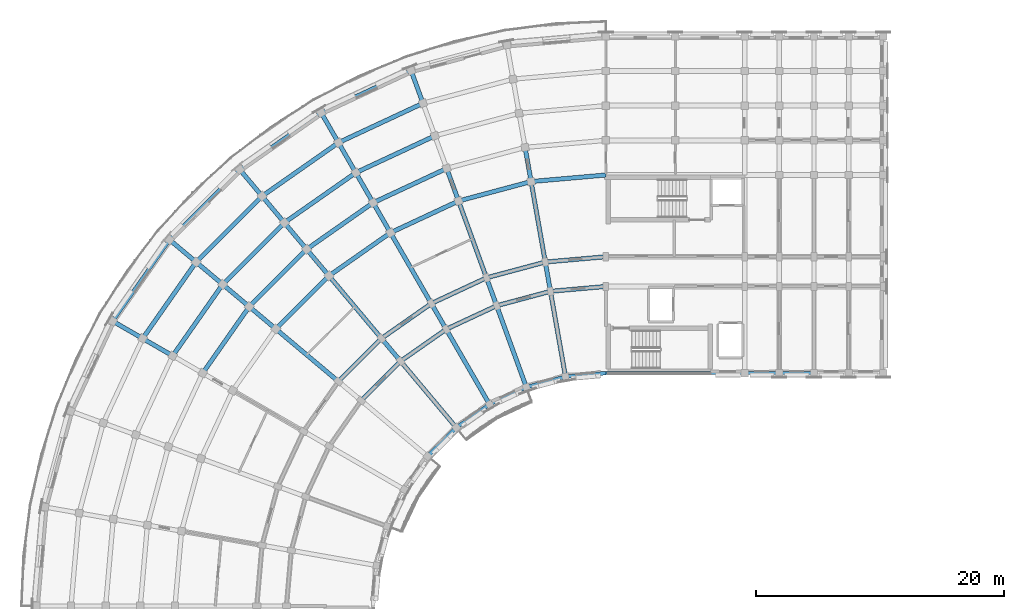
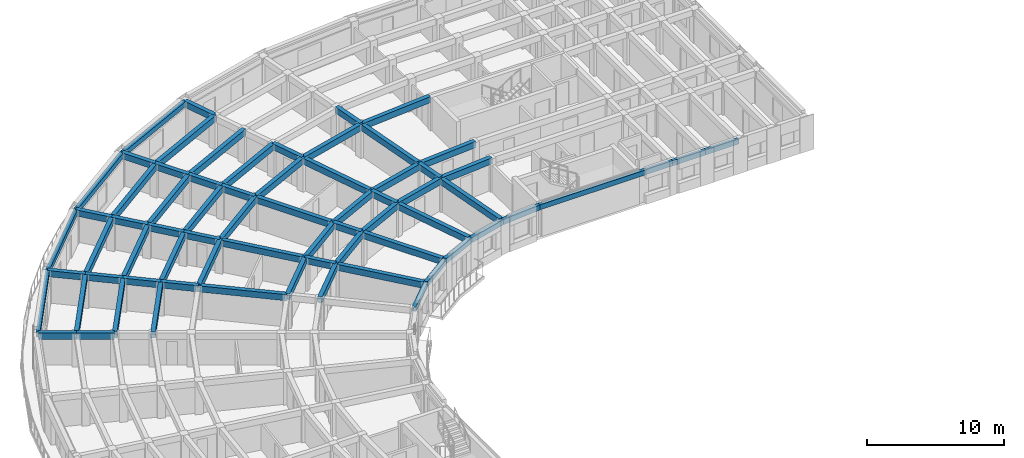
# One storey, part 5 of 41: 69 beams.
"""IFC4 building model written with IfcOpenShell, lengths in metres."""

from ifc_helpers import new_model, si_unit, direction, frame, origin, origin_2d, place, context, subcontext, project, spatial, rectangle, extrude, material, material_profile, profile_set, type_object, element, save


model = new_model("IFC4")

# Units and contexts
model_context = context("Model", 3, precision=1e-05, world=origin(), true_north=direction((0.0, 1.0)))
body_context = subcontext(model_context, "Body", "Model", "MODEL_VIEW")
ifc_project = project(units=[si_unit("LENGTHUNIT", "METRE"), si_unit("AREAUNIT", "SQUARE_METRE"), si_unit("VOLUMEUNIT", "CUBIC_METRE"), si_unit("PLANEANGLEUNIT", "RADIAN"), si_unit("MASSUNIT", "GRAM", prefix="KILO")], contexts=[model_context])

# Site, building, storey
site_placement = place(None, origin())
site = spatial("IfcSite", under=ifc_project, at=site_placement, CompositionType="ELEMENT")
building_placement = place(site_placement, origin())
building = spatial("IfcBuilding", under=site, at=building_placement, Name="Kiranvali Square Residences", CompositionType="ELEMENT")
storey_placement = place(building_placement, frame((0.0, 0.0, 33.89990234375)))
storey = spatial("IfcBuildingStorey", under=building, at=storey_placement, Name="L10", CompositionType="ELEMENT", Elevation=33.89990234375)

# Beams
ifc_material = material(Name="Concrete M40 (40 MPa)", Category="concrete")
ifc_material_profile_1 = material_profile(ifc_material, rectangle(XDim=0.35009765625, YDim=0.550048828125, at=origin_2d()), Name="RC 350x550")
ifc_profile_set_1 = profile_set([ifc_material_profile_1], Name="Concrete M40 (40 MPa)")
beam_type_1 = type_object("IfcBeamType", Name="BM-M40-350x550", PredefinedType="BEAM", material=ifc_profile_set_1)
beam_1_placement = place(storey_placement, frame((48.199951171875, 113.60009765625, 2.655029296875), z_axis=(-0.996191949488, -0.087187153726, 0.0), x_axis=(0.087187153726, -0.996191949488, 0.0)))
element("IfcBeam", 1, at=beam_1_placement, inside=storey, type_object=beam_type_1, Name="L10 beam BM-A-L10-C00-R1", PredefinedType="BEAM", context=body_context, shape_type="SweptSolid", body=[
    extrude(rectangle(XDim=0.35009765625, YDim=0.550048828125, at=origin_2d()), origin(), (0.0, 0.0, 1.0), 4.4970703125),
])
beam_2_placement = place(storey_placement, frame((48.199951171875, 116.0, 2.655029296875), z_axis=(-0.996193663584, -0.087167566415, 0.0), x_axis=(0.087167566415, -0.996193663584, 0.0)))
element("IfcBeam", 2, at=beam_2_placement, inside=storey, type_object=beam_type_1, Name="L10 beam BM-A-L10-C00-R2", PredefinedType="BEAM", context=body_context, shape_type="SweptSolid", body=[
    extrude(rectangle(XDim=0.35009765625, YDim=0.550048828125, at=origin_2d()), origin(), (0.0, 0.0, 1.0), 4.91552734375),
])
beam_3_placement = place(storey_placement, frame((48.199951171875, 122.60009765625, 2.655029296875), z_axis=(-0.996193018494, -0.087174938512, 0.0), x_axis=(0.087174938512, -0.996193018494, 0.0)))
element("IfcBeam", 3, at=beam_3_placement, inside=storey, type_object=beam_type_1, Name="L10 beam BM-A-L10-C00-R3", PredefinedType="BEAM", context=body_context, shape_type="SweptSolid", body=[
    extrude(rectangle(XDim=0.35009765625, YDim=0.550048828125, at=origin_2d()), origin(), (0.0, 0.0, 1.0), 6.066162109375),
])
beam_4_placement = place(storey_placement, frame((43.719970703125, 113.2080078125, 2.655029296875), z_axis=(-0.965934240054, -0.258787642463, 0.0), x_axis=(0.258787642463, -0.965934240054, 0.0)))
element("IfcBeam", 4, at=beam_4_placement, inside=storey, type_object=beam_type_1, Name="L10 beam BM-A-L10-C01-R1", PredefinedType="BEAM", context=body_context, shape_type="SweptSolid", body=[
    extrude(rectangle(XDim=0.35009765625, YDim=0.550048828125, at=origin_2d()), origin(), (0.0, 0.0, 1.0), 4.497314453125),
])
beam_5_placement = place(storey_placement, frame((43.30322265625, 115.571533203125, 2.655029296875), z_axis=(-0.965930095386, -0.258803112091, 0.0), x_axis=(0.258803112091, -0.965930095386, 0.0)))
element("IfcBeam", 5, at=beam_5_placement, inside=storey, type_object=beam_type_1, Name="L10 beam BM-A-L10-C01-R2", PredefinedType="BEAM", context=body_context, shape_type="SweptSolid", body=[
    extrude(rectangle(XDim=0.35009765625, YDim=0.550048828125, at=origin_2d()), origin(), (0.0, 0.0, 1.0), 4.915771484375),
])
beam_6_placement = place(storey_placement, frame((42.156982421875, 122.0712890625, 2.655029296875), z_axis=(-0.965923618901, -0.258827283048, 0.0), x_axis=(0.258827283048, -0.965923618901, 0.0)))
element("IfcBeam", 6, at=beam_6_placement, inside=storey, type_object=beam_type_1, Name="L10 beam BM-A-L10-C01-R3", PredefinedType="BEAM", context=body_context, shape_type="SweptSolid", body=[
    extrude(rectangle(XDim=0.35009765625, YDim=0.550048828125, at=origin_2d()), origin(), (0.0, 0.0, 1.0), 6.066162109375),
])
beam_7_placement = place(storey_placement, frame((39.3759765625, 112.044189453125, 2.655029296875), z_axis=(-0.906307919131, -0.422617978463, 0.0), x_axis=(0.422617978463, -0.906307919131, 0.0)))
element("IfcBeam", 7, at=beam_7_placement, inside=storey, type_object=beam_type_1, Name="L10 beam BM-A-L10-C02-R1", PredefinedType="BEAM", context=body_context, shape_type="SweptSolid", body=[
    extrude(rectangle(XDim=0.35009765625, YDim=0.550048828125, at=origin_2d()), origin(), (0.0, 0.0, 1.0), 4.497314453125),
])
beam_8_placement = place(storey_placement, frame((38.554931640625, 114.29931640625, 2.655029296875), z_axis=(-0.906302381024, -0.422629854778, 0.0), x_axis=(0.422629854778, -0.906302381024, 0.0)))
element("IfcBeam", 8, at=beam_8_placement, inside=storey, type_object=beam_type_1, Name="L10 beam BM-A-L10-C02-R2", PredefinedType="BEAM", context=body_context, shape_type="SweptSolid", body=[
    extrude(rectangle(XDim=0.35009765625, YDim=0.550048828125, at=origin_2d()), origin(), (0.0, 0.0, 1.0), 4.915283203125),
])
beam_9_placement = place(storey_placement, frame((36.297607421875, 120.501220703125, 2.655029296875), z_axis=(-0.906312656069, -0.42260781991, 0.0), x_axis=(0.42260781991, -0.906312656069, 0.0)))
element("IfcBeam", 9, at=beam_9_placement, inside=storey, type_object=beam_type_1, Name="L10 beam BM-A-L10-C02-R3", PredefinedType="BEAM", context=body_context, shape_type="SweptSolid", body=[
    extrude(rectangle(XDim=0.35009765625, YDim=0.550048828125, at=origin_2d()), origin(), (0.0, 0.0, 1.0), 6.06591796875),
])
beam_10_placement = place(storey_placement, frame((35.340087890625, 123.13232421875, 2.655029296875), z_axis=(-0.906318225223, -0.422595876255, 0.0), x_axis=(0.422595876255, -0.906318225223, 0.0)))
element("IfcBeam", 10, at=beam_10_placement, inside=storey, type_object=beam_type_1, Name="L10 beam BM-A-L10-C02-R4", PredefinedType="BEAM", context=body_context, shape_type="SweptSolid", body=[
    extrude(rectangle(XDim=0.35009765625, YDim=0.550048828125, at=origin_2d()), origin(), (0.0, 0.0, 1.0), 6.55419921875),
])
beam_11_placement = place(storey_placement, frame((34.38232421875, 125.763671875, 2.655029296875), z_axis=(-0.906297360311, -0.422640621205, 0.0), x_axis=(0.422640621205, -0.906297360311, 0.0)))
element("IfcBeam", 11, at=beam_11_placement, inside=storey, type_object=beam_type_1, Name="L10 beam BM-A-L10-C02-R5", PredefinedType="BEAM", context=body_context, shape_type="SweptSolid", body=[
    extrude(rectangle(XDim=0.35009765625, YDim=0.550048828125, at=origin_2d()), origin(), (0.0, 0.0, 1.0), 7.042236328125),
])
beam_12_placement = place(storey_placement, frame((33.4248046875, 128.394775390625, 2.655029296875), z_axis=(-0.90630982703, -0.422613886933, 0.0), x_axis=(0.422613886933, -0.90630982703, 0.0)))
element("IfcBeam", 12, at=beam_12_placement, inside=storey, type_object=beam_type_1, Name="L10 beam BM-A-L10-C02-R6", PredefinedType="BEAM", context=body_context, shape_type="SweptSolid", body=[
    extrude(rectangle(XDim=0.35009765625, YDim=0.550048828125, at=origin_2d()), origin(), (0.0, 0.0, 1.0), 7.5302734375),
])
beam_13_placement = place(storey_placement, frame((35.300048828125, 110.1435546875, 2.655029296875), z_axis=(-0.819155404658, -0.573571637217, 0.0), x_axis=(0.573571637217, -0.819155404658, 0.0)))
element("IfcBeam", 13, at=beam_13_placement, inside=storey, type_object=beam_type_1, Name="L10 beam BM-A-L10-C03-R1", PredefinedType="BEAM", context=body_context, shape_type="SweptSolid", body=[
    extrude(rectangle(XDim=0.35009765625, YDim=0.550048828125, at=origin_2d()), origin(), (0.0, 0.0, 1.0), 4.497314453125),
])
beam_14_placement = place(storey_placement, frame((34.10009765625, 112.221923828125, 2.655029296875), z_axis=(-0.819140911474, -0.573592335331, 0.0), x_axis=(0.573592335331, -0.819140911474, 0.0)))
element("IfcBeam", 14, at=beam_14_placement, inside=storey, type_object=beam_type_1, Name="L10 beam BM-A-L10-C03-R2", PredefinedType="BEAM", context=body_context, shape_type="SweptSolid", body=[
    extrude(rectangle(XDim=0.35009765625, YDim=0.550048828125, at=origin_2d()), origin(), (0.0, 0.0, 1.0), 4.915771484375),
])
beam_15_placement = place(storey_placement, frame((30.800048828125, 117.937744140625, 2.655029296875), z_axis=(-0.81913926159, -0.573594691504, 0.0), x_axis=(0.573594691504, -0.81913926159, 0.0)))
element("IfcBeam", 15, at=beam_15_placement, inside=storey, type_object=beam_type_1, Name="L10 beam BM-A-L10-C03-R3", PredefinedType="BEAM", context=body_context, shape_type="SweptSolid", body=[
    extrude(rectangle(XDim=0.35009765625, YDim=0.550048828125, at=origin_2d()), origin(), (0.0, 0.0, 1.0), 6.066162109375),
])
beam_16_placement = place(storey_placement, frame((29.39990234375, 120.362548828125, 2.655029296875), z_axis=(-0.819144409176, -0.573587340268, 0.0), x_axis=(0.573587340268, -0.819144409176, 0.0)))
element("IfcBeam", 16, at=beam_16_placement, inside=storey, type_object=beam_type_1, Name="L10 beam BM-A-L10-C03-R4", PredefinedType="BEAM", context=body_context, shape_type="SweptSolid", body=[
    extrude(rectangle(XDim=0.35009765625, YDim=0.550048828125, at=origin_2d()), origin(), (0.0, 0.0, 1.0), 6.553955078125),
])
beam_17_placement = place(storey_placement, frame((28.0, 122.787353515625, 2.655029296875), z_axis=(-0.819160249246, -0.57356471828, 0.0), x_axis=(0.57356471828, -0.819160249246, 0.0)))
element("IfcBeam", 17, at=beam_17_placement, inside=storey, type_object=beam_type_1, Name="L10 beam BM-A-L10-C03-R5", PredefinedType="BEAM", context=body_context, shape_type="SweptSolid", body=[
    extrude(rectangle(XDim=0.35009765625, YDim=0.550048828125, at=origin_2d()), origin(), (0.0, 0.0, 1.0), 7.0419921875),
])
beam_18_placement = place(storey_placement, frame((26.60009765625, 125.21240234375, 2.655029296875), z_axis=(-0.819143569597, -0.573588539275, 0.0), x_axis=(0.573588539275, -0.819143569597, 0.0)))
element("IfcBeam", 18, at=beam_18_placement, inside=storey, type_object=beam_type_1, Name="L10 beam BM-A-L10-C03-R6", PredefinedType="BEAM", context=body_context, shape_type="SweptSolid", body=[
    extrude(rectangle(XDim=0.35009765625, YDim=0.550048828125, at=origin_2d()), origin(), (0.0, 0.0, 1.0), 7.5302734375),
])
beam_19_placement = place(storey_placement, frame((31.615966796875, 107.56396484375, 2.655029296875), z_axis=(-0.707106781187, -0.707106781187, 0.0), x_axis=(0.707106781187, -0.707106781187, 0.0)))
element("IfcBeam", 19, at=beam_19_placement, inside=storey, type_object=beam_type_1, Name="L10 beam BM-A-L10-C04-R1", PredefinedType="BEAM", context=body_context, shape_type="SweptSolid", body=[
    extrude(rectangle(XDim=0.35009765625, YDim=0.550048828125, at=origin_2d()), origin(), (0.0, 0.0, 1.0), 4.4970703125),
])
beam_20_placement = place(storey_placement, frame((30.073486328125, 109.40234375, 2.655029296875), z_axis=(-0.707106781187, -0.707106781187, 0.0), x_axis=(0.707106781187, -0.707106781187, 0.0)))
element("IfcBeam", 20, at=beam_20_placement, inside=storey, type_object=beam_type_1, Name="L10 beam BM-A-L10-C04-R2", PredefinedType="BEAM", context=body_context, shape_type="SweptSolid", body=[
    extrude(rectangle(XDim=0.35009765625, YDim=0.550048828125, at=origin_2d()), origin(), (0.0, 0.0, 1.0), 4.91552734375),
])
beam_21_placement = place(storey_placement, frame((25.8310546875, 114.458251953125, 2.655029296875), z_axis=(-0.707106781187, -0.707106781187, 0.0), x_axis=(0.707106781187, -0.707106781187, 0.0)))
element("IfcBeam", 21, at=beam_21_placement, inside=storey, type_object=beam_type_1, Name="L10 beam BM-A-L10-C04-R3", PredefinedType="BEAM", context=body_context, shape_type="SweptSolid", body=[
    extrude(rectangle(XDim=0.35009765625, YDim=0.550048828125, at=origin_2d()), origin(), (0.0, 0.0, 1.0), 6.06591796875),
])
beam_22_placement = place(storey_placement, frame((24.03125, 116.603271484375, 2.655029296875), z_axis=(-0.707106781187, -0.707106781187, 0.0), x_axis=(0.707106781187, -0.707106781187, 0.0)))
element("IfcBeam", 22, at=beam_22_placement, inside=storey, type_object=beam_type_1, Name="L10 beam BM-A-L10-C04-R4", PredefinedType="BEAM", context=body_context, shape_type="SweptSolid", body=[
    extrude(rectangle(XDim=0.35009765625, YDim=0.550048828125, at=origin_2d()), origin(), (0.0, 0.0, 1.0), 6.55419921875),
])
beam_23_placement = place(storey_placement, frame((22.2314453125, 118.748291015625, 2.655029296875), z_axis=(-0.707106781187, -0.707106781187, 0.0), x_axis=(0.707106781187, -0.707106781187, 0.0)))
element("IfcBeam", 23, at=beam_23_placement, inside=storey, type_object=beam_type_1, Name="L10 beam BM-A-L10-C04-R5", PredefinedType="BEAM", context=body_context, shape_type="SweptSolid", body=[
    extrude(rectangle(XDim=0.35009765625, YDim=0.550048828125, at=origin_2d()), origin(), (0.0, 0.0, 1.0), 7.04248046875),
])
beam_24_placement = place(storey_placement, frame((20.431640625, 120.89306640625, 2.655029296875), z_axis=(-0.707106781187, -0.707106781187, 0.0), x_axis=(0.707106781187, -0.707106781187, 0.0)))
element("IfcBeam", 24, at=beam_24_placement, inside=storey, type_object=beam_type_1, Name="L10 beam BM-A-L10-C04-R6", PredefinedType="BEAM", context=body_context, shape_type="SweptSolid", body=[
    extrude(rectangle(XDim=0.35009765625, YDim=0.550048828125, at=origin_2d()), origin(), (0.0, 0.0, 1.0), 7.5302734375),
])
beam_25_placement = place(storey_placement, frame((19.396728515625, 111.96875, 2.655029296875), z_axis=(-0.573587340268, -0.819144409176, 0.0), x_axis=(0.819144409176, -0.573587340268, 0.0)))
element("IfcBeam", 25, at=beam_25_placement, inside=storey, type_object=beam_type_1, Name="L10 beam BM-A-L10-C05-R4", PredefinedType="BEAM", context=body_context, shape_type="SweptSolid", body=[
    extrude(rectangle(XDim=0.35009765625, YDim=0.550048828125, at=origin_2d()), origin(), (0.0, 0.0, 1.0), 6.553955078125),
])
beam_26_placement = place(storey_placement, frame((17.251708984375, 113.7685546875, 2.655029296875), z_axis=(-0.57356471828, -0.819160249246, 0.0), x_axis=(0.819160249246, -0.57356471828, 0.0)))
element("IfcBeam", 26, at=beam_26_placement, inside=storey, type_object=beam_type_1, Name="L10 beam BM-A-L10-C05-R5", PredefinedType="BEAM", context=body_context, shape_type="SweptSolid", body=[
    extrude(rectangle(XDim=0.35009765625, YDim=0.550048828125, at=origin_2d()), origin(), (0.0, 0.0, 1.0), 7.0419921875),
])
beam_27_placement = place(storey_placement, frame((15.10693359375, 115.568359375, 2.655029296875), z_axis=(-0.573588539275, -0.819143569597, 0.0), x_axis=(0.819143569597, -0.573588539275, 0.0)))
element("IfcBeam", 27, at=beam_27_placement, inside=storey, type_object=beam_type_1, Name="L10 beam BM-A-L10-C05-R6", PredefinedType="BEAM", context=body_context, shape_type="SweptSolid", body=[
    extrude(rectangle(XDim=0.35009765625, YDim=0.550048828125, at=origin_2d()), origin(), (0.0, 0.0, 1.0), 7.5302734375),
])
beam_28_placement = place(storey_placement, frame((44.935302734375, 106.314453125, 2.655029296875), z_axis=(-0.173622177865, 0.984812337125, 0.0), x_axis=(-0.984812337125, -0.173622177865, 0.0)))
element("IfcBeam", 28, at=beam_28_placement, inside=storey, type_object=beam_type_1, Name="L10 beam BM-A-L10-RAD01-01", PredefinedType="BEAM", context=body_context, shape_type="SweptSolid", body=[
    extrude(rectangle(XDim=0.35009765625, YDim=0.550048828125, at=origin_2d()), origin(), (0.0, 0.0, 1.0), 6.999755859375),
])
beam_29_placement = place(storey_placement, frame((43.719970703125, 113.2080078125, 2.655029296875), z_axis=(-0.173646056486, 0.984808127031, 0.0), x_axis=(-0.984808127031, -0.173646056486, 0.0)))
element("IfcBeam", 29, at=beam_29_placement, inside=storey, type_object=beam_type_1, Name="L10 beam BM-A-L10-RAD01-12", PredefinedType="BEAM", context=body_context, shape_type="SweptSolid", body=[
    extrude(rectangle(XDim=0.35009765625, YDim=0.550048828125, at=origin_2d()), origin(), (0.0, 0.0, 1.0), 2.39990234375),
])
beam_30_placement = place(storey_placement, frame((43.30322265625, 115.571533203125, 2.655029296875), z_axis=(-0.173671381499, 0.984803661269, 0.0), x_axis=(-0.984803661269, -0.173671381499, 0.0)))
element("IfcBeam", 30, at=beam_30_placement, inside=storey, type_object=beam_type_1, Name="L10 beam BM-A-L10-RAD01-23", PredefinedType="BEAM", context=body_context, shape_type="SweptSolid", body=[
    extrude(rectangle(XDim=0.35009765625, YDim=0.550048828125, at=origin_2d()), origin(), (0.0, 0.0, 1.0), 6.60009765625),
])
beam_31_placement = place(storey_placement, frame((42.156982421875, 122.0712890625, 2.655029296875), z_axis=(-0.173596320392, 0.984816895441, 0.0), x_axis=(-0.984816895441, -0.173596320392, 0.0)))
element("IfcBeam", 31, at=beam_31_placement, inside=storey, type_object=beam_type_1, Name="L10 beam BM-A-L10-RAD01-34", PredefinedType="BEAM", context=body_context, shape_type="SweptSolid", body=[
    extrude(rectangle(XDim=0.35009765625, YDim=0.550048828125, at=origin_2d()), origin(), (0.0, 0.0, 1.0), 2.800048828125),
])
beam_32_placement = place(storey_placement, frame((41.77001953125, 105.46630859375, 2.655029296875), z_axis=(-0.342006283793, 0.939697665127, 0.0), x_axis=(-0.939697665127, -0.342006283793, 0.0)))
element("IfcBeam", 32, at=beam_32_placement, inside=storey, type_object=beam_type_1, Name="L10 beam BM-A-L10-RAD02-01", PredefinedType="BEAM", context=body_context, shape_type="SweptSolid", body=[
    extrude(rectangle(XDim=0.35009765625, YDim=0.550048828125, at=origin_2d()), origin(), (0.0, 0.0, 1.0), 7.0),
])
beam_33_placement = place(storey_placement, frame((39.3759765625, 112.044189453125, 2.655029296875), z_axis=(-0.342110593602, 0.939659694648, 0.0), x_axis=(-0.939659694648, -0.342110593602, 0.0)))
element("IfcBeam", 33, at=beam_33_placement, inside=storey, type_object=beam_type_1, Name="L10 beam BM-A-L10-RAD02-12", PredefinedType="BEAM", context=body_context, shape_type="SweptSolid", body=[
    extrude(rectangle(XDim=0.35009765625, YDim=0.550048828125, at=origin_2d()), origin(), (0.0, 0.0, 1.0), 2.39990234375),
])
beam_34_placement = place(storey_placement, frame((38.554931640625, 114.29931640625, 2.655029296875), z_axis=(-0.342022238372, 0.939691858249, 0.0), x_axis=(-0.939691858249, -0.342022238372, 0.0)))
element("IfcBeam", 34, at=beam_34_placement, inside=storey, type_object=beam_type_1, Name="L10 beam BM-A-L10-RAD02-23", PredefinedType="BEAM", context=body_context, shape_type="SweptSolid", body=[
    extrude(rectangle(XDim=0.35009765625, YDim=0.550048828125, at=origin_2d()), origin(), (0.0, 0.0, 1.0), 6.599853515625),
])
beam_35_placement = place(storey_placement, frame((36.297607421875, 120.501220703125, 2.655029296875), z_axis=(-0.341981089711, 0.93970683422, 0.0), x_axis=(-0.93970683422, -0.341981089711, 0.0)))
element("IfcBeam", 35, at=beam_35_placement, inside=storey, type_object=beam_type_1, Name="L10 beam BM-A-L10-RAD02-34", PredefinedType="BEAM", context=body_context, shape_type="SweptSolid", body=[
    extrude(rectangle(XDim=0.35009765625, YDim=0.550048828125, at=origin_2d()), origin(), (0.0, 0.0, 1.0), 2.7998046875),
])
beam_36_placement = place(storey_placement, frame((33.4248046875, 128.394775390625, 2.655029296875), z_axis=(-0.342058084236, 0.939678810556, 0.0), x_axis=(-0.939678810556, -0.342058084236, 0.0)))
element("IfcBeam", 36, at=beam_36_placement, inside=storey, type_object=beam_type_1, Name="L10 beam BM-A-L10-RAD02-67", PredefinedType="BEAM", context=body_context, shape_type="SweptSolid", body=[
    extrude(rectangle(XDim=0.35009765625, YDim=0.550048828125, at=origin_2d()), origin(), (0.0, 0.0, 1.0), 2.800048828125),
])
beam_37_placement = place(storey_placement, frame((38.800048828125, 104.081298828125, 2.655029296875), z_axis=(-0.499995173006, 0.866028190633, 0.0), x_axis=(-0.866028190633, -0.499995173006, 0.0)))
element("IfcBeam", 37, at=beam_37_placement, inside=storey, type_object=beam_type_1, Name="L10 beam BM-A-L10-RAD03-01", PredefinedType="BEAM", context=body_context, shape_type="SweptSolid", body=[
    extrude(rectangle(XDim=0.35009765625, YDim=0.550048828125, at=origin_2d()), origin(), (0.0, 0.0, 1.0), 7.0),
])
beam_38_placement = place(storey_placement, frame((35.300048828125, 110.1435546875, 2.655029296875), z_axis=(-0.500001309137, 0.866024647952, 0.0), x_axis=(-0.866024647952, -0.500001309137, 0.0)))
element("IfcBeam", 38, at=beam_38_placement, inside=storey, type_object=beam_type_1, Name="L10 beam BM-A-L10-RAD03-12", PredefinedType="BEAM", context=body_context, shape_type="SweptSolid", body=[
    extrude(rectangle(XDim=0.35009765625, YDim=0.550048828125, at=origin_2d()), origin(), (0.0, 0.0, 1.0), 2.39990234375),
])
beam_39_placement = place(storey_placement, frame((34.10009765625, 112.221923828125, 2.655029296875), z_axis=(-0.500002094529, 0.866024194504, 0.0), x_axis=(-0.866024194504, -0.500002094529, 0.0)))
element("IfcBeam", 39, at=beam_39_placement, inside=storey, type_object=beam_type_1, Name="L10 beam BM-A-L10-RAD03-23", PredefinedType="BEAM", context=body_context, shape_type="SweptSolid", body=[
    extrude(rectangle(XDim=0.35009765625, YDim=0.550048828125, at=origin_2d()), origin(), (0.0, 0.0, 1.0), 6.60009765625),
])
beam_40_placement = place(storey_placement, frame((30.800048828125, 117.937744140625, 2.655029296875), z_axis=(-0.500049511043, 0.865996816683, 0.0), x_axis=(-0.865996816683, -0.500049511043, 0.0)))
element("IfcBeam", 40, at=beam_40_placement, inside=storey, type_object=beam_type_1, Name="L10 beam BM-A-L10-RAD03-34", PredefinedType="BEAM", context=body_context, shape_type="SweptSolid", body=[
    extrude(rectangle(XDim=0.35009765625, YDim=0.550048828125, at=origin_2d()), origin(), (0.0, 0.0, 1.0), 2.800048828125),
])
beam_41_placement = place(storey_placement, frame((29.39990234375, 120.362548828125, 2.655029296875), z_axis=(-0.49998411664, 0.866034573852, 0.0), x_axis=(-0.866034573852, -0.49998411664, 0.0)))
element("IfcBeam", 41, at=beam_41_placement, inside=storey, type_object=beam_type_1, Name="L10 beam BM-A-L10-RAD03-45", PredefinedType="BEAM", context=body_context, shape_type="SweptSolid", body=[
    extrude(rectangle(XDim=0.35009765625, YDim=0.550048828125, at=origin_2d()), origin(), (0.0, 0.0, 1.0), 2.7998046875),
])
for number, where, z_axis, x_axis, name in (
    (42, (28.0, 122.787353515625, 2.655029296875), (-0.49994636267, 0.866056369097, 0.0), (-0.866056369097, -0.49994636267, 0.0), "L10 beam BM-A-L10-RAD03-56"),
    (43, (26.60009765625, 125.21240234375, 2.655029296875), (-0.500049511043, 0.865996816683, 0.0), (-0.865996816683, -0.500049511043, 0.0), "L10 beam BM-A-L10-RAD03-67"),
):
    element("IfcBeam", number, at=place(storey_placement, frame(where, z_axis=z_axis, x_axis=x_axis)), inside=storey, type_object=beam_type_1, Name=name, PredefinedType="BEAM", context=body_context, shape_type="SweptSolid", body=[
        extrude(rectangle(XDim=0.35009765625, YDim=0.550048828125, at=origin_2d()), origin(), (0.0, 0.0, 1.0), 2.800048828125),
    ])
beam_42_placement = place(storey_placement, frame((36.115478515625, 102.20166015625, 2.655029296875), z_axis=(-0.642787931032, 0.766044173478, 0.0), x_axis=(-0.766044173478, -0.642787931032, 0.0)))
element("IfcBeam", 44, at=beam_42_placement, inside=storey, type_object=beam_type_1, Name="L10 beam BM-A-L10-RAD04-01", PredefinedType="BEAM", context=body_context, shape_type="SweptSolid", body=[
    extrude(rectangle(XDim=0.35009765625, YDim=0.550048828125, at=origin_2d()), origin(), (0.0, 0.0, 1.0), 7.0),
])
beam_43_placement = place(storey_placement, frame((31.615966796875, 107.56396484375, 2.655029296875), z_axis=(-0.642762521781, 0.766065493671, 0.0), x_axis=(-0.766065493671, -0.642762521781, 0.0)))
element("IfcBeam", 45, at=beam_43_placement, inside=storey, type_object=beam_type_1, Name="L10 beam BM-A-L10-RAD04-12", PredefinedType="BEAM", context=body_context, shape_type="SweptSolid", body=[
    extrude(rectangle(XDim=0.35009765625, YDim=0.550048828125, at=origin_2d()), origin(), (0.0, 0.0, 1.0), 2.399658203125),
])
beam_44_placement = place(storey_placement, frame((30.073486328125, 109.40234375, 2.655029296875), z_axis=(-0.642789470807, 0.766042881449, 0.0), x_axis=(-0.766042881449, -0.642789470807, 0.0)))
element("IfcBeam", 46, at=beam_44_placement, inside=storey, type_object=beam_type_1, Name="L10 beam BM-A-L10-RAD04-23", PredefinedType="BEAM", context=body_context, shape_type="SweptSolid", body=[
    extrude(rectangle(XDim=0.35009765625, YDim=0.550048828125, at=origin_2d()), origin(), (0.0, 0.0, 1.0), 6.60009765625),
])
for number, where, z_axis, x_axis, name in (
    (47, (25.8310546875, 114.458251953125, 2.655029296875), (-0.642770757628, 0.766058583359, 0.0), (-0.766058583359, -0.642770757628, 0.0), "L10 beam BM-A-L10-RAD04-34"),
    (48, (24.03125, 116.603271484375, 2.655029296875), (-0.642770757628, 0.766058583359, 0.0), (-0.766058583359, -0.642770757628, 0.0), "L10 beam BM-A-L10-RAD04-45"),
):
    element("IfcBeam", number, at=place(storey_placement, frame(where, z_axis=z_axis, x_axis=x_axis)), inside=storey, type_object=beam_type_1, Name=name, PredefinedType="BEAM", context=body_context, shape_type="SweptSolid", body=[
        extrude(rectangle(XDim=0.35009765625, YDim=0.550048828125, at=origin_2d()), origin(), (0.0, 0.0, 1.0), 2.800048828125),
    ])
beam_45_placement = place(storey_placement, frame((22.2314453125, 118.748291015625, 2.655029296875), z_axis=(-0.642813692253, 0.76602255649, 0.0), x_axis=(-0.76602255649, -0.642813692253, 0.0)))
element("IfcBeam", 49, at=beam_45_placement, inside=storey, type_object=beam_type_1, Name="L10 beam BM-A-L10-RAD04-56", PredefinedType="BEAM", context=body_context, shape_type="SweptSolid", body=[
    extrude(rectangle(XDim=0.35009765625, YDim=0.550048828125, at=origin_2d()), origin(), (0.0, 0.0, 1.0), 2.7998046875),
])
beam_46_placement = place(storey_placement, frame((20.431640625, 120.89306640625, 2.655029296875), z_axis=(-0.642770757628, 0.766058583359, 0.0), x_axis=(-0.766058583359, -0.642770757628, 0.0)))
element("IfcBeam", 50, at=beam_46_placement, inside=storey, type_object=beam_type_1, Name="L10 beam BM-A-L10-RAD04-67", PredefinedType="BEAM", context=body_context, shape_type="SweptSolid", body=[
    extrude(rectangle(XDim=0.35009765625, YDim=0.550048828125, at=origin_2d()), origin(), (0.0, 0.0, 1.0), 2.800048828125),
])
beam_47_placement = place(storey_placement, frame((26.59765625, 105.926513671875, 2.655029296875), z_axis=(-0.766042881449, 0.642789470807, 0.0), x_axis=(-0.642789470807, -0.766042881449, 0.0)))
element("IfcBeam", 51, at=beam_47_placement, inside=storey, type_object=beam_type_1, Name="L10 beam BM-A-L10-RAD05-23", PredefinedType="BEAM", context=body_context, shape_type="SweptSolid", body=[
    extrude(rectangle(XDim=0.35009765625, YDim=0.550048828125, at=origin_2d()), origin(), (0.0, 0.0, 1.0), 6.60009765625),
])
for number, where, z_axis, x_axis, name in (
    (52, (21.541748046875, 110.1689453125, 2.655029296875), (-0.766058583359, 0.642770757628, 0.0), (-0.642770757628, -0.766058583359, 0.0), "L10 beam BM-A-L10-RAD05-34"),
    (53, (19.396728515625, 111.96875, 2.655029296875), (-0.766058583359, 0.642770757628, 0.0), (-0.642770757628, -0.766058583359, 0.0), "L10 beam BM-A-L10-RAD05-45"),
):
    element("IfcBeam", number, at=place(storey_placement, frame(where, z_axis=z_axis, x_axis=x_axis)), inside=storey, type_object=beam_type_1, Name=name, PredefinedType="BEAM", context=body_context, shape_type="SweptSolid", body=[
        extrude(rectangle(XDim=0.35009765625, YDim=0.550048828125, at=origin_2d()), origin(), (0.0, 0.0, 1.0), 2.800048828125),
    ])
beam_48_placement = place(storey_placement, frame((17.251708984375, 113.7685546875, 2.655029296875), z_axis=(-0.76602255649, 0.642813692253, 0.0), x_axis=(-0.642813692253, -0.76602255649, 0.0)))
element("IfcBeam", 54, at=beam_48_placement, inside=storey, type_object=beam_type_1, Name="L10 beam BM-A-L10-RAD05-56", PredefinedType="BEAM", context=body_context, shape_type="SweptSolid", body=[
    extrude(rectangle(XDim=0.35009765625, YDim=0.550048828125, at=origin_2d()), origin(), (0.0, 0.0, 1.0), 2.7998046875),
])
for number, where, z_axis, x_axis, name in (
    (55, (15.10693359375, 115.568359375, 2.655029296875), (-0.766058583359, 0.642770757628, 0.0), (-0.642770757628, -0.766058583359, 0.0), "L10 beam BM-A-L10-RAD05-67"),
    (56, (13.212646484375, 108.0, 2.655029296875), (-0.866056369097, 0.49994636267, 0.0), (-0.49994636267, -0.866056369097, 0.0), "L10 beam BM-A-L10-RAD06-56"),
    (57, (10.78759765625, 109.39990234375, 2.655029296875), (-0.865996816683, 0.500049511043, 0.0), (-0.500049511043, -0.865996816683, 0.0), "L10 beam BM-A-L10-RAD06-67"),
):
    element("IfcBeam", number, at=place(storey_placement, frame(where, z_axis=z_axis, x_axis=x_axis)), inside=storey, type_object=beam_type_1, Name=name, PredefinedType="BEAM", context=body_context, shape_type="SweptSolid", body=[
        extrude(rectangle(XDim=0.35009765625, YDim=0.550048828125, at=origin_2d()), origin(), (0.0, 0.0, 1.0), 2.800048828125),
    ])
ifc_material_profile_2 = material_profile(ifc_material, rectangle(XDim=0.25, YDim=0.449951171875, at=origin_2d()), Name="RC 250x450")
ifc_profile_set_2 = profile_set([ifc_material_profile_2], Name="Concrete M40 (40 MPa)")
beam_type_2 = type_object("IfcBeamType", Name="SPN-M40-250x450", PredefinedType="SPANDREL", material=ifc_profile_set_2)
beam_49_placement = place(storey_placement, frame((48.199951171875, 106.60009765625, 2.705078125), z_axis=(1.0, 0.0, 0.0), x_axis=(0.0, 1.0, 0.0)))
element("IfcBeam", 58, at=beam_49_placement, inside=storey, type_object=beam_type_2, Name="L10 beam BM-A-L10-A1U0-R0", PredefinedType="SPANDREL", context=body_context, shape_type="SweptSolid", body=[
    extrude(rectangle(XDim=0.25, YDim=0.449951171875, at=origin_2d()), origin(), (0.0, 0.0, 1.0), 11.199951171875),
])
for number, where, z_axis, x_axis, name in (
    (59, (59.39990234375, 106.60009765625, 2.705078125), (1.0, 0.0, 0.0), (0.0, 1.0, 0.0), "L10 beam BM-A-L10-A1U1-R0"),
    (60, (62.199951171875, 106.60009765625, 2.705078125), (1.0, 0.0, 0.0), (0.0, 1.0, 0.0), "L10 beam BM-A-L10-A1U2-R0"),
):
    element("IfcBeam", number, at=place(storey_placement, frame(where, z_axis=z_axis, x_axis=x_axis)), inside=storey, type_object=beam_type_2, Name=name, PredefinedType="SPANDREL", context=body_context, shape_type="SweptSolid", body=[
        extrude(rectangle(XDim=0.25, YDim=0.449951171875, at=origin_2d()), origin(), (0.0, 0.0, 1.0), 2.800048828125),
    ])
ifc_material_profile_3 = material_profile(ifc_material, rectangle(XDim=0.300048828125, YDim=0.449951171875, at=origin_2d()), Name="RC 300x450")
ifc_profile_set_3 = profile_set([ifc_material_profile_3], Name="Concrete M40 (40 MPa)")
beam_type_3 = type_object("IfcBeamType", Name="SPN-M40-300x450", PredefinedType="SPANDREL", material=ifc_profile_set_3)
beam_50_placement = place(storey_placement, frame((48.199951171875, 106.60009765625, 2.705078125), z_axis=(-0.996194040944, -0.087163253657, 0.0), x_axis=(0.087163253657, -0.996194040944, 0.0)))
element("IfcBeam", 61, at=beam_50_placement, inside=storey, type_object=beam_type_3, Name="L10 beam BM-A-L10-C00-R0", PredefinedType="SPANDREL", context=body_context, shape_type="SweptSolid", body=[
    extrude(rectangle(XDim=0.300048828125, YDim=0.449951171875, at=origin_2d()), origin(), (0.0, 0.0, 1.0), 3.277099609375),
])
beam_51_placement = place(storey_placement, frame((44.935302734375, 106.314453125, 2.705078125), z_axis=(-0.965925105099, -0.258821736607, 0.0), x_axis=(0.258821736607, -0.965925105099, 0.0)))
element("IfcBeam", 62, at=beam_51_placement, inside=storey, type_object=beam_type_3, Name="L10 beam BM-A-L10-C01-R0", PredefinedType="SPANDREL", context=body_context, shape_type="SweptSolid", body=[
    extrude(rectangle(XDim=0.300048828125, YDim=0.449951171875, at=origin_2d()), origin(), (0.0, 0.0, 1.0), 3.27685546875),
])
beam_52_placement = place(storey_placement, frame((41.77001953125, 105.46630859375, 2.705078125), z_axis=(-0.90629730464, -0.422640740585, 0.0), x_axis=(0.422640740585, -0.90629730464, 0.0)))
element("IfcBeam", 63, at=beam_52_placement, inside=storey, type_object=beam_type_3, Name="L10 beam BM-A-L10-C02-R0", PredefinedType="SPANDREL", context=body_context, shape_type="SweptSolid", body=[
    extrude(rectangle(XDim=0.300048828125, YDim=0.449951171875, at=origin_2d()), origin(), (0.0, 0.0, 1.0), 3.277099609375),
])
beam_53_placement = place(storey_placement, frame((32.467041015625, 131.02587890625, 2.705078125), z_axis=(-0.906309113636, -0.422615416827, 0.0), x_axis=(0.422615416827, -0.906309113636, 0.0)))
element("IfcBeam", 64, at=beam_53_placement, inside=storey, type_object=beam_type_3, Name="L10 beam BM-A-L10-C02-R7", PredefinedType="SPANDREL", context=body_context, shape_type="SweptSolid", body=[
    extrude(rectangle(XDim=0.300048828125, YDim=0.449951171875, at=origin_2d()), origin(), (0.0, 0.0, 1.0), 8.018310546875),
])
beam_54_placement = place(storey_placement, frame((38.800048828125, 104.081298828125, 2.705078125), z_axis=(-0.81916891812, -0.573552337269, 0.0), x_axis=(0.573552337269, -0.81916891812, 0.0)))
element("IfcBeam", 65, at=beam_54_placement, inside=storey, type_object=beam_type_3, Name="L10 beam BM-A-L10-C03-R0", PredefinedType="SPANDREL", context=body_context, shape_type="SweptSolid", body=[
    extrude(rectangle(XDim=0.300048828125, YDim=0.449951171875, at=origin_2d()), origin(), (0.0, 0.0, 1.0), 3.277099609375),
])
beam_55_placement = place(storey_placement, frame((25.199951171875, 127.63720703125, 2.705078125), z_axis=(-0.819147515001, -0.573582904791, 0.0), x_axis=(0.573582904791, -0.819147515001, 0.0)))
element("IfcBeam", 66, at=beam_55_placement, inside=storey, type_object=beam_type_3, Name="L10 beam BM-A-L10-C03-R7", PredefinedType="SPANDREL", context=body_context, shape_type="SweptSolid", body=[
    extrude(rectangle(XDim=0.300048828125, YDim=0.449951171875, at=origin_2d()), origin(), (0.0, 0.0, 1.0), 8.018310546875),
])
beam_56_placement = place(storey_placement, frame((36.115478515625, 102.20166015625, 2.705078125), z_axis=(-0.707106781187, -0.707106781187, 0.0), x_axis=(0.707106781187, -0.707106781187, 0.0)))
element("IfcBeam", 67, at=beam_56_placement, inside=storey, type_object=beam_type_3, Name="L10 beam BM-A-L10-C04-R0", PredefinedType="SPANDREL", context=body_context, shape_type="SweptSolid", body=[
    extrude(rectangle(XDim=0.300048828125, YDim=0.449951171875, at=origin_2d()), origin(), (0.0, 0.0, 1.0), 3.27685546875),
])
beam_57_placement = place(storey_placement, frame((18.6318359375, 123.0380859375, 2.705078125), z_axis=(-0.707106781187, -0.707106781187, 0.0), x_axis=(0.707106781187, -0.707106781187, 0.0)))
element("IfcBeam", 68, at=beam_57_placement, inside=storey, type_object=beam_type_3, Name="L10 beam BM-A-L10-C04-R7", PredefinedType="SPANDREL", context=body_context, shape_type="SweptSolid", body=[
    extrude(rectangle(XDim=0.300048828125, YDim=0.449951171875, at=origin_2d()), origin(), (0.0, 0.0, 1.0), 8.0185546875),
])
beam_58_placement = place(storey_placement, frame((12.9619140625, 117.3681640625, 2.705078125), z_axis=(-0.573582904791, -0.819147515001, 0.0), x_axis=(0.819147515001, -0.573582904791, 0.0)))
element("IfcBeam", 69, at=beam_58_placement, inside=storey, type_object=beam_type_3, Name="L10 beam BM-A-L10-C05-R7", PredefinedType="SPANDREL", context=body_context, shape_type="SweptSolid", body=[
    extrude(rectangle(XDim=0.300048828125, YDim=0.449951171875, at=origin_2d()), origin(), (0.0, 0.0, 1.0), 8.018310546875),
])

save(model, "model.ifc")
